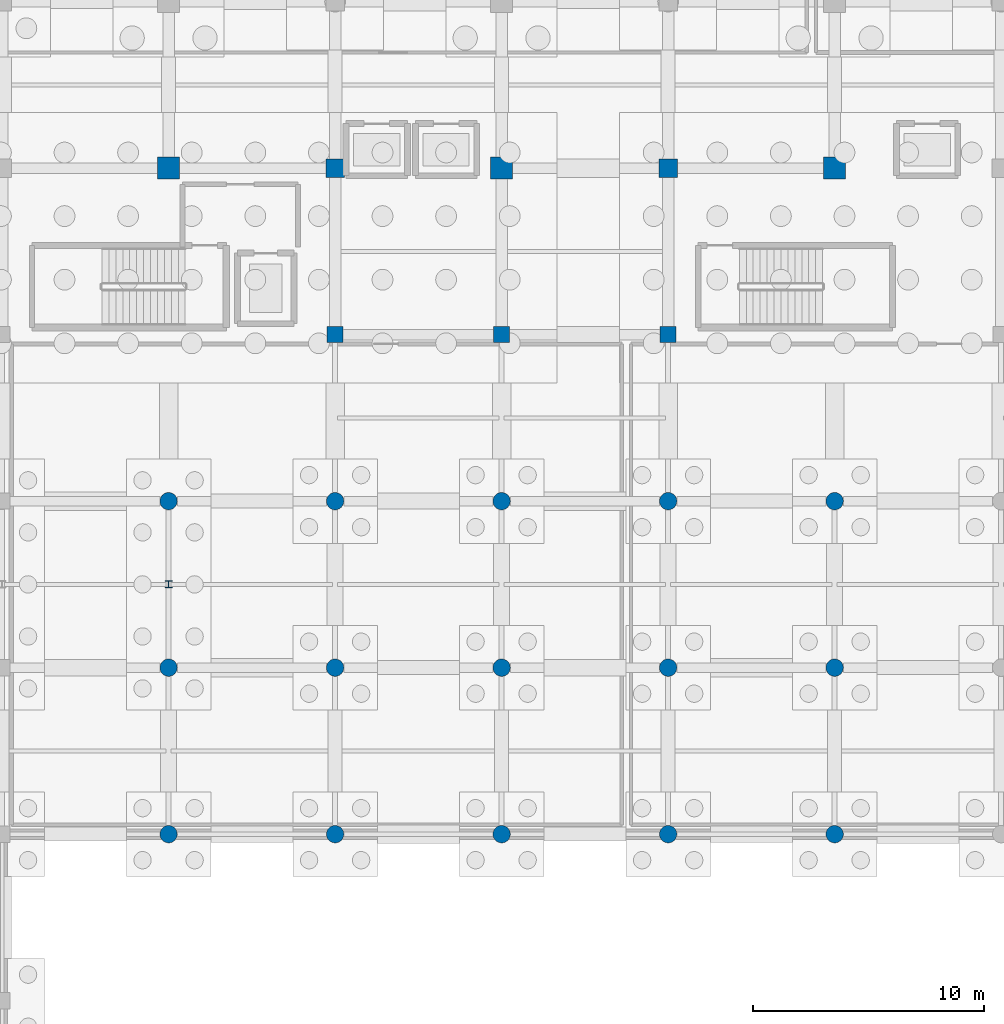
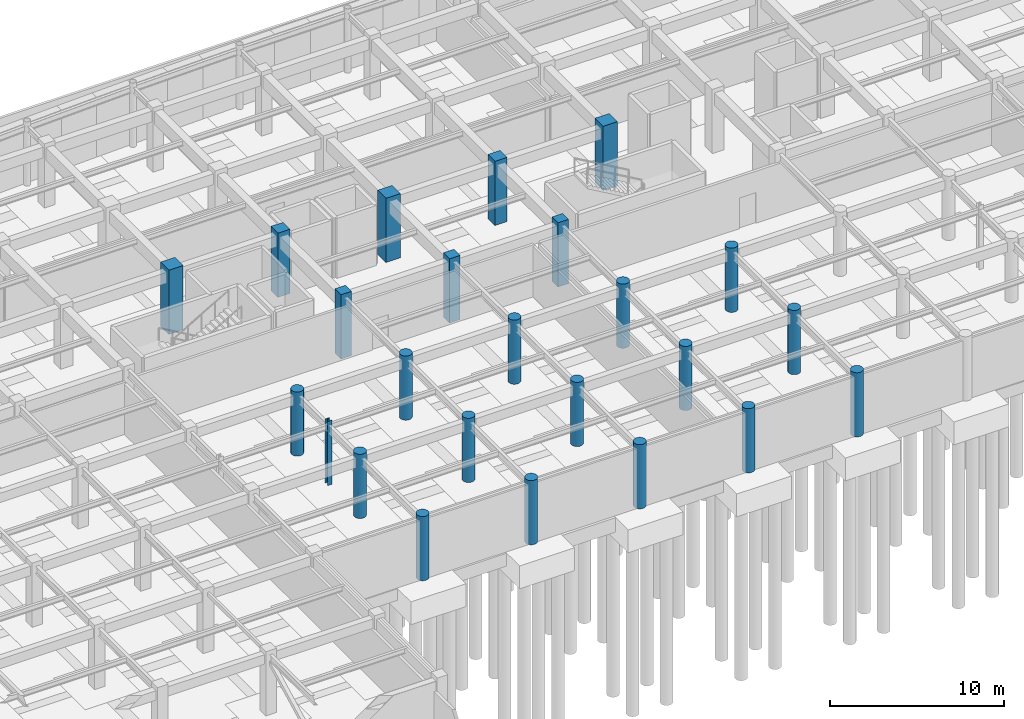
# One storey, part 20 of 48: 24 columns.
"""IFC4 building model written with IfcOpenShell, lengths in metres."""

from ifc_helpers import new_model, si_unit, direction, frame, origin, origin_2d, place, context, subcontext, project, spatial, rectangle, circle, i_section, extrude, material, material_profile, profile_set, type_object, element, save


model = new_model("IFC4")

# Units and contexts
model_context = context("Model", 3, precision=1e-05, world=origin(), true_north=direction((0.0, 1.0)))
body_context = subcontext(model_context, "Body", "Model", "MODEL_VIEW")
ifc_project = project(units=[si_unit("LENGTHUNIT", "METRE"), si_unit("AREAUNIT", "SQUARE_METRE"), si_unit("VOLUMEUNIT", "CUBIC_METRE"), si_unit("PLANEANGLEUNIT", "RADIAN"), si_unit("MASSUNIT", "GRAM", prefix="KILO")], contexts=[model_context])

# Site, building, storey
site_placement = place(None, origin())
site = spatial("IfcSite", under=ifc_project, at=site_placement, CompositionType="ELEMENT")
building_placement = place(site_placement, origin())
building = spatial("IfcBuilding", under=site, at=building_placement, Name="Carrowvane Square Congress Hotel", CompositionType="ELEMENT")
storey_placement = place(building_placement, frame((0.0, 0.0, -4.5)))
storey = spatial("IfcBuildingStorey", under=building, at=storey_placement, Name="B01", CompositionType="ELEMENT", Elevation=-4.5)

# Columns
ifc_material_1 = material(Name="Concrete C40/50", Category="concrete")
ifc_material_profile_1 = material_profile(ifc_material_1, rectangle(XDim=0.699951171875, YDim=0.699951171875, at=origin_2d()), Name="RC 700x700")
ifc_profile_set_1 = profile_set([ifc_material_profile_1], Name="Concrete C40/50")
column_type_1 = type_object("IfcColumnType", Name="COL-RC-700", PredefinedType="COLUMN", material=ifc_profile_set_1)
for number, where, z_axis, x_axis, name in (
    (1, (83.60009765625, 91.800048828125, 0.0), (0.0, 0.0, 1.0), (1.0, 0.0, 0.0), "B01 column 11/N"),
    (2, (90.800048828125, 91.800048828125, 0.0), (0.0, 0.0, 1.0), (1.0, 0.0, 0.0), "B01 column 12/N"),
    (3, (98.0, 91.800048828125, 0.0), (0.0, 0.0, 1.0), (1.0, 0.0, 0.0), "B01 column 13/N"),
):
    element("IfcColumn", number, at=place(storey_placement, frame(where, z_axis=z_axis, x_axis=x_axis)), inside=storey, type_object=column_type_1, Name=name, PredefinedType="COLUMN", context=body_context, shape_type="SweptSolid", body=[
        extrude(rectangle(XDim=0.699951171875, YDim=0.699951171875, at=origin_2d()), origin(), (0.0, 0.0, 1.0), 4.5),
    ])
ifc_material_2 = material(Name="Concrete C40/50", Category="concrete")
ifc_material_profile_2 = material_profile(ifc_material_2, rectangle(XDim=0.800048828125, YDim=0.800048828125, at=origin_2d()), Name="RC 800x800")
ifc_profile_set_2 = profile_set([ifc_material_profile_2], Name="Concrete C40/50")
column_type_2 = type_object("IfcColumnType", Name="COL-RC-800", PredefinedType="COLUMN", material=ifc_profile_set_2)
for number, where, z_axis, x_axis, name in (
    (4, (83.60009765625, 99.0, 0.0), (0.0, 0.0, 1.0), (1.0, 0.0, 0.0), "B01 column 11/P"),
    (5, (98.0, 99.0, 0.0), (0.0, 0.0, 1.0), (1.0, 0.0, 0.0), "B01 column 13/P"),
):
    element("IfcColumn", number, at=place(storey_placement, frame(where, z_axis=z_axis, x_axis=x_axis)), inside=storey, type_object=column_type_2, Name=name, PredefinedType="COLUMN", context=body_context, shape_type="SweptSolid", body=[
        extrude(rectangle(XDim=0.800048828125, YDim=0.800048828125, at=origin_2d()), origin(), (0.0, 0.0, 1.0), 4.5),
    ])
ifc_material_3 = material(Name="Concrete C40/50", Category="concrete")
ifc_material_profile_3 = material_profile(ifc_material_3, circle(Radius=0.375, at=origin_2d()), Name="RC D750")
ifc_profile_set_3 = profile_set([ifc_material_profile_3], Name="Concrete C40/50")
column_type_3 = type_object("IfcColumnType", Name="COL-RC-D750", PredefinedType="COLUMN", material=ifc_profile_set_3)
for number, where, z_axis, x_axis, name in (
    (6, (76.39990234375, 70.199951171875, 0.0), (0.0, 0.0, 1.0), (1.0, 0.0, 0.0), "B01 column 10/K"),
    (7, (76.39990234375, 77.39990234375, 0.0), (0.0, 0.0, 1.0), (1.0, 0.0, 0.0), "B01 column 10/L"),
    (8, (76.39990234375, 84.60009765625, 0.0), (0.0, 0.0, 1.0), (1.0, 0.0, 0.0), "B01 column 10/M"),
    (9, (83.60009765625, 70.199951171875, 0.0), (0.0, 0.0, 1.0), (1.0, 0.0, 0.0), "B01 column 11/K"),
    (10, (83.60009765625, 77.39990234375, 0.0), (0.0, 0.0, 1.0), (1.0, 0.0, 0.0), "B01 column 11/L"),
    (11, (83.60009765625, 84.60009765625, 0.0), (0.0, 0.0, 1.0), (1.0, 0.0, 0.0), "B01 column 11/M"),
    (12, (90.800048828125, 70.199951171875, 0.0), (0.0, 0.0, 1.0), (1.0, 0.0, 0.0), "B01 column 12/K"),
    (13, (90.800048828125, 77.39990234375, 0.0), (0.0, 0.0, 1.0), (1.0, 0.0, 0.0), "B01 column 12/L"),
    (14, (90.800048828125, 84.60009765625, 0.0), (0.0, 0.0, 1.0), (1.0, 0.0, 0.0), "B01 column 12/M"),
    (15, (98.0, 70.199951171875, 0.0), (0.0, 0.0, 1.0), (1.0, 0.0, 0.0), "B01 column 13/K"),
    (16, (98.0, 77.39990234375, 0.0), (0.0, 0.0, 1.0), (1.0, 0.0, 0.0), "B01 column 13/L"),
    (17, (98.0, 84.60009765625, 0.0), (0.0, 0.0, 1.0), (1.0, 0.0, 0.0), "B01 column 13/M"),
    (18, (105.199951171875, 70.199951171875, 0.0), (0.0, 0.0, 1.0), (1.0, 0.0, 0.0), "B01 column 14/K"),
    (19, (105.199951171875, 77.39990234375, 0.0), (0.0, 0.0, 1.0), (1.0, 0.0, 0.0), "B01 column 14/L"),
    (20, (105.199951171875, 84.60009765625, 0.0), (0.0, 0.0, 1.0), (1.0, 0.0, 0.0), "B01 column 14/M"),
):
    element("IfcColumn", number, at=place(storey_placement, frame(where, z_axis=z_axis, x_axis=x_axis)), inside=storey, type_object=column_type_3, Name=name, PredefinedType="COLUMN", context=body_context, shape_type="SweptSolid", body=[
        extrude(circle(Radius=0.375, at=origin_2d()), origin(), (0.0, 0.0, 1.0), 4.5),
    ])
ifc_material_4 = material(Name="Steel S355", Category="steel")
ifc_material_profile_4 = material_profile(ifc_material_4, i_section(OverallWidth=0.300048828125, OverallDepth=0.300048828125, WebThickness=0.010986328125, FlangeThickness=0.01904296875, FilletRadius=0.027099609375, at=origin_2d()), Name="HEB 300")
ifc_profile_set_4 = profile_set([ifc_material_profile_4], Name="Steel S355")
column_type_4 = type_object("IfcColumnType", Name="COL-ST-HEB300", PredefinedType="COLUMN", material=ifc_profile_set_4)
column_placement = place(storey_placement, frame((76.39990234375, 81.0, 0.0), z_axis=(0.0, 0.0, 1.0), x_axis=(1.0, 0.0, 0.0)))
element("IfcColumn", 21, at=column_placement, inside=storey, type_object=column_type_4, Name="B01 column V6X76/RG", PredefinedType="COLUMN", context=body_context, shape_type="SweptSolid", body=[
    extrude(i_section(OverallWidth=0.300048828125, OverallDepth=0.300048828125, WebThickness=0.010986328125, FlangeThickness=0.01904296875, FilletRadius=0.027099609375, at=origin_2d()), origin(), (0.0, 0.0, 1.0), 4.5),
])
ifc_material_5 = material(Name="Concrete C40/50", Category="concrete")
ifc_material_profile_5 = material_profile(ifc_material_5, rectangle(XDim=0.949951171875, YDim=0.949951171875, at=origin_2d()), Name="RC 950x950")
ifc_profile_set_5 = profile_set([ifc_material_profile_5], Name="Concrete C40/50")
column_type_5 = type_object("IfcColumnType", Name="MCOL-RC-1000", PredefinedType="COLUMN", material=ifc_profile_set_5)
for number, where, z_axis, x_axis, name in (
    (22, (76.39990234375, 99.0, 0.0), (0.0, 0.0, 1.0), (1.0, 0.0, 0.0), "B01 column 10/P"),
    (23, (90.800048828125, 99.0, 0.0), (0.0, 0.0, 1.0), (1.0, 0.0, 0.0), "B01 column 12/P"),
    (24, (105.199951171875, 99.0, 0.0), (0.0, 0.0, 1.0), (1.0, 0.0, 0.0), "B01 column 14/P"),
):
    element("IfcColumn", number, at=place(storey_placement, frame(where, z_axis=z_axis, x_axis=x_axis)), inside=storey, type_object=column_type_5, Name=name, PredefinedType="COLUMN", context=body_context, shape_type="SweptSolid", body=[
        extrude(rectangle(XDim=0.949951171875, YDim=0.949951171875, at=origin_2d()), origin(), (0.0, 0.0, 1.0), 4.5),
    ])

save(model, "model.ifc")
